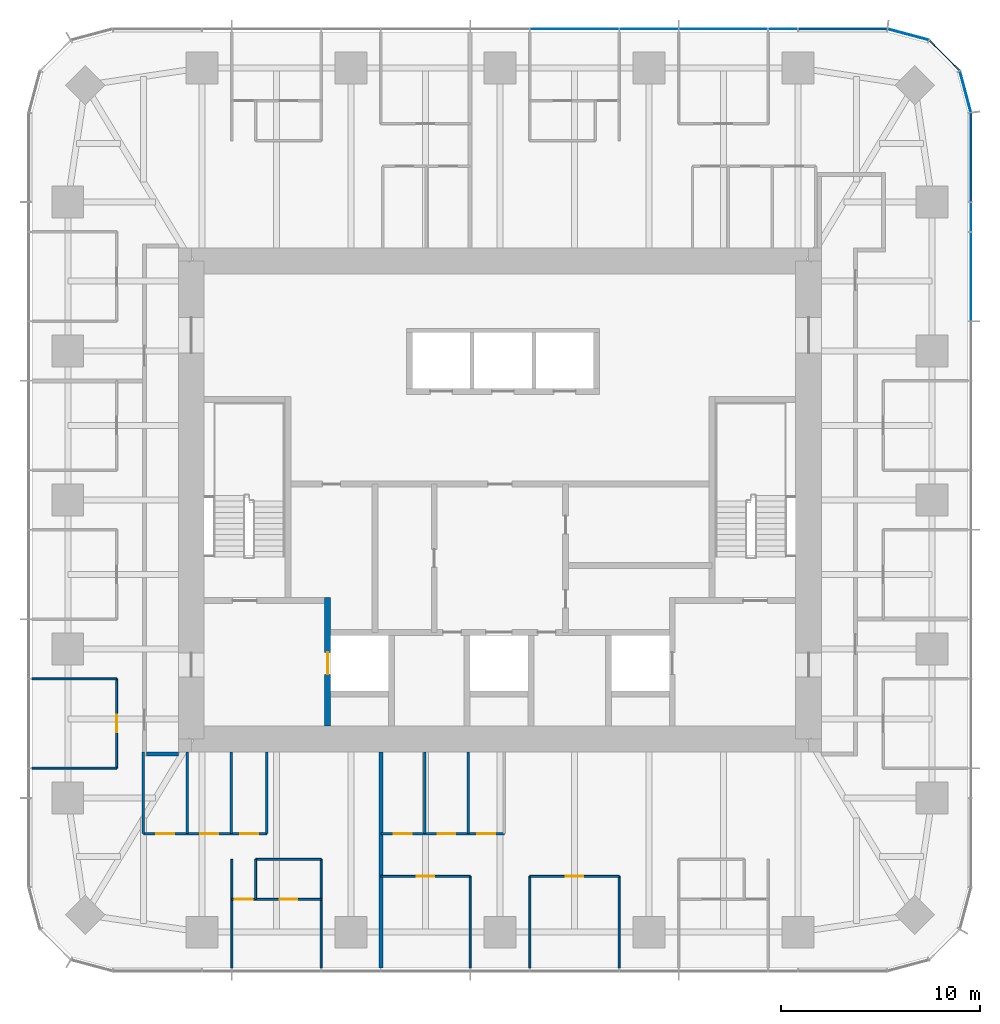
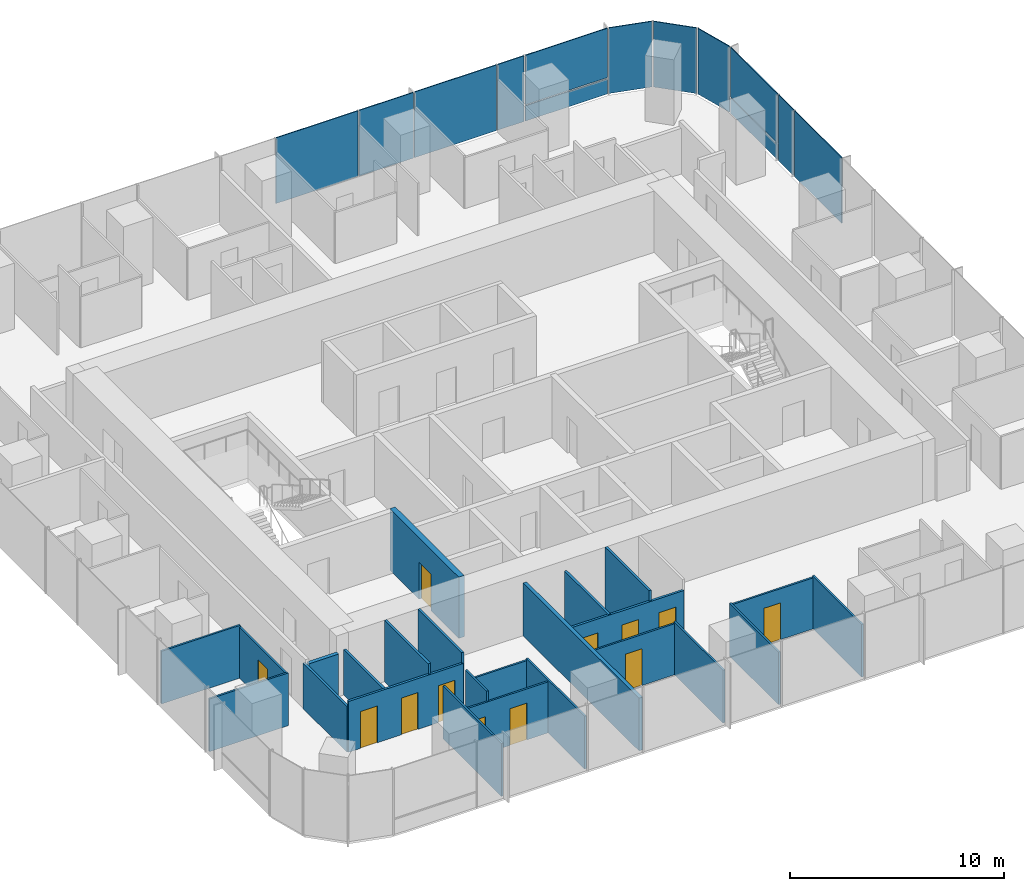
# One storey, part 8 of 12: 24 walls, 13 plates, 12 doors, 12 openings, 3 elements without a shape of their own.
"""IFC4 building model written with IfcOpenShell, lengths in metres."""

from ifc_helpers import new_model, si_unit, direction, frame, frame_2d, origin, origin_2d, place, context, subcontext, project, spatial, rectangle, extrude, material, layer, layer_set, type_object, element, fill, aggregate, save


model = new_model("IFC4")

# Units and contexts
model_context = context("Model", 3, precision=1e-05, world=origin(), true_north=direction((0.0, 1.0)))
body_context = subcontext(model_context, "Body", "Model", "MODEL_VIEW")
ifc_project = project(units=[si_unit("LENGTHUNIT", "METRE"), si_unit("AREAUNIT", "SQUARE_METRE"), si_unit("VOLUMEUNIT", "CUBIC_METRE"), si_unit("PLANEANGLEUNIT", "RADIAN"), si_unit("MASSUNIT", "GRAM", prefix="KILO")], contexts=[model_context])

# Site, building, storey
site_placement = place(None, origin())
site = spatial("IfcSite", under=ifc_project, at=site_placement, CompositionType="ELEMENT")
building_placement = place(site_placement, origin())
building = spatial("IfcBuilding", under=site, at=building_placement, Name="Khuree Lantern Residences", CompositionType="ELEMENT")
storey_placement = place(building_placement, frame((0.0, 0.0, 304.5)))
storey = spatial("IfcBuildingStorey", under=building, at=storey_placement, Name="L76", CompositionType="ELEMENT", Elevation=304.5)

# Curtain wall, plates
ifc_material_1 = material(Name="Bronze anodised aluminium", Category="aluminium")
curtain_wall_type_1 = type_object("IfcCurtainWallType", Name="CW-T2 TOWER CORNER CURTAIN WALL", PredefinedType="USERDEFINED", material=ifc_material_1)
curtain_wall_1_placement = place(storey_placement, origin())
curtain_wall_1 = element("IfcCurtainWall", 1, at=curtain_wall_1_placement, inside=storey, type_object=curtain_wall_type_1, Name="L76 NORTH-EAST CORNER CURTAIN WALL", ObjectType="Faceted corner curtain wall", PredefinedType="USERDEFINED")
ifc_material_2 = material(Name="Bronze tinted triple glazing", Category="glass")
ifc_layer_1 = layer(ifc_material_2, 0.048095703125)
ifc_layer_set_1 = layer_set([ifc_layer_1], Name="FACET PANEL P4")
plate_type_1 = type_object("IfcPlateType", Name="FACET PANEL P4", PredefinedType="CURTAIN_PANEL", material=ifc_layer_set_1)
plate_1_placement = place(storey_placement, frame((23.369140625, 20.498046875, 0.0), z_axis=(0.0, 0.0, 1.0), x_axis=(-0.2588189146, 0.965925861257, 0.0)))
plate_1 = element("IfcPlate", 2, at=plate_1_placement, type_object=plate_type_1, Name="L76 NORTH-EAST CORNER PANEL 15.1", PredefinedType="CURTAIN_PANEL", context=body_context, shape_type="SweptSolid", body=[
    extrude(rectangle(XDim=2.09814453125, YDim=0.048095703125, at=origin_2d()), origin(), (0.0, 0.0, 1.0), 3.75),
])
plate_2_placement = place(storey_placement, frame((22.318603515625, 22.318603515625, 0.0), z_axis=(0.0, 0.0, 1.0), x_axis=(-0.707106781187, 0.707106781187, 0.0)))
plate_2 = element("IfcPlate", 3, at=plate_2_placement, type_object=plate_type_1, Name="L76 NORTH-EAST CORNER PANEL 16.1", PredefinedType="CURTAIN_PANEL", context=body_context, shape_type="SweptSolid", body=[
    extrude(rectangle(XDim=2.093994140625, YDim=0.048095703125, at=origin_2d()), origin(), (0.0, 0.0, 1.0), 3.75),
])
plate_3_placement = place(storey_placement, frame((20.498046875, 23.369140625, 0.0), z_axis=(0.0, 0.0, 1.0), x_axis=(-0.965925861257, 0.2588189146, 0.0)))
plate_3 = element("IfcPlate", 4, at=plate_3_placement, type_object=plate_type_1, Name="L76 NORTH-EAST CORNER PANEL 17.1", PredefinedType="CURTAIN_PANEL", context=body_context, shape_type="SweptSolid", body=[
    extrude(rectangle(XDim=2.09814453125, YDim=0.048095703125, at=origin_2d()), origin(), (0.0, 0.0, 1.0), 3.75),
])
aggregate(curtain_wall_1, [plate_1, plate_2, plate_3])

# Curtain wall, plate
curtain_wall_type_2 = type_object("IfcCurtainWallType", Name="CW-T1 TOWER FACE CURTAIN WALL", PredefinedType="USERDEFINED", material=ifc_material_1)
curtain_wall_2_placement = place(storey_placement, origin())
curtain_wall_2 = element("IfcCurtainWall", 5, at=curtain_wall_2_placement, inside=storey, type_object=curtain_wall_type_2, Name="L76 EAST FACE CURTAIN WALL", ObjectType="Stick-built curtain wall", PredefinedType="USERDEFINED")
ifc_material_3 = material(Name="Bronze tinted triple glazing with a ceramic-fritted spandrel band", Category="glass")
ifc_layer_2 = layer(ifc_material_3, 0.048095703125)
ifc_layer_set_2 = layer_set([ifc_layer_2], Name="FIXED LIGHT PANEL P11")
plate_type_2 = type_object("IfcPlateType", Name="FIXED LIGHT PANEL P11", PredefinedType="CURTAIN_PANEL", material=ifc_layer_set_2)
plate_4_placement = place(storey_placement, frame((23.64990234375, 11.219970703125, 0.0), z_axis=(0.0, 0.0, 1.0), x_axis=(0.0, 1.0, 0.0)))
plate_4 = element("IfcPlate", 6, at=plate_4_placement, type_object=plate_type_2, Name="L76 EAST FACE PANEL 12.1", PredefinedType="CURTAIN_PANEL", context=body_context, shape_type="SweptSolid", body=[
    extrude(rectangle(XDim=4.423095703125, YDim=0.048095703125, at=origin_2d()), origin(), (0.0, 0.0, 1.0), 3.75),
])

# Curtain wall, plates
curtain_wall_3_placement = place(storey_placement, origin())
curtain_wall_3 = element("IfcCurtainWall", 7, at=curtain_wall_3_placement, inside=storey, type_object=curtain_wall_type_2, Name="L76 NORTH FACE CURTAIN WALL", ObjectType="Stick-built curtain wall", PredefinedType="USERDEFINED")
plate_5_placement = place(storey_placement, frame((11.219970703125, 23.64990234375, 0.0), z_axis=(0.0, 0.0, 1.0), x_axis=(-1.0, 0.0, 0.0)))
plate_5 = element("IfcPlate", 8, at=plate_5_placement, type_object=plate_type_2, Name="L76 NORTH FACE PANEL 20.1", PredefinedType="CURTAIN_PANEL", context=body_context, shape_type="SweptSolid", body=[
    extrude(rectangle(XDim=4.423095703125, YDim=0.048095703125, at=origin_2d()), origin(), (0.0, 0.0, 1.0), 3.75),
])
plate_6_placement = place(storey_placement, frame((3.739990234375, 23.64990234375, 0.0), z_axis=(0.0, 0.0, 1.0), x_axis=(-1.0, 0.0, 0.0)))
plate_6 = element("IfcPlate", 9, at=plate_6_placement, type_object=plate_type_2, Name="L76 NORTH FACE PANEL 22.1", PredefinedType="CURTAIN_PANEL", context=body_context, shape_type="SweptSolid", body=[
    extrude(rectangle(XDim=4.423095703125, YDim=0.048095703125, at=origin_2d()), origin(), (0.0, 0.0, 1.0), 3.75),
])
ifc_material_4 = material(Name="Bronze tinted triple glazing, two aluminium-framed sashes in one frame", Category="aluminium")
ifc_layer_3 = layer(ifc_material_4, 0.048095703125)
ifc_layer_set_3 = layer_set([ifc_layer_3], Name="SASH PAIR PANEL P12")
plate_type_3 = type_object("IfcPlateType", Name="SASH PAIR PANEL P12", PredefinedType="CURTAIN_PANEL", material=ifc_layer_set_3)
plate_7_placement = place(storey_placement, frame((7.47998046875, 23.64990234375, 0.0), z_axis=(0.0, 0.0, 1.0), x_axis=(-1.0, 0.0, 0.0)))
plate_7 = element("IfcPlate", 10, at=plate_7_placement, type_object=plate_type_3, Name="L76 NORTH FACE PANEL 21.1", PredefinedType="CURTAIN_PANEL", context=body_context, shape_type="SweptSolid", body=[
    extrude(rectangle(XDim=2.927001953125, YDim=0.048095703125, at=origin_2d()), origin(), (0.0, 0.0, 1.0), 3.75),
])

# Plate
ifc_material_5 = material(Name="Bronze tinted triple glazing, aluminium-framed sash", Category="aluminium")
ifc_layer_4 = layer(ifc_material_5, 0.048095703125)
ifc_layer_set_4 = layer_set([ifc_layer_4], Name="SASH PANEL P3")
plate_type_4 = type_object("IfcPlateType", Name="SASH PANEL P3", PredefinedType="CURTAIN_PANEL", material=ifc_layer_set_4)
plate_8_placement = place(storey_placement, frame((23.64990234375, 14.2119140625, 0.0), z_axis=(0.0, 0.0, 1.0), x_axis=(0.0, 1.0, 0.0)))
plate_8 = element("IfcPlate", 11, at=plate_8_placement, type_object=plate_type_4, Name="L76 EAST FACE PANEL 13.1", PredefinedType="CURTAIN_PANEL", context=body_context, shape_type="SweptSolid", body=[
    extrude(rectangle(XDim=1.430908203125, YDim=0.048095703125, at=origin_2d()), origin(), (0.0, 0.0, 1.0), 3.75),
])

plate_9_placement = place(storey_placement, frame((14.2119140625, 23.64990234375, 0.0), z_axis=(0.0, 0.0, 1.0), x_axis=(-1.0, 0.0, 0.0)))
plate_9 = element("IfcPlate", 12, at=plate_9_placement, type_object=plate_type_4, Name="L76 NORTH FACE PANEL 19.1", PredefinedType="CURTAIN_PANEL", context=body_context, shape_type="SweptSolid", body=[
    extrude(rectangle(XDim=1.430908203125, YDim=0.048095703125, at=origin_2d()), origin(), (0.0, 0.0, 1.0), 3.75),
])

ifc_material_6 = material(Name="Bronze anodised aluminium insulated spandrel", Category="aluminium")
ifc_layer_5 = layer(ifc_material_6, 0.06005859375)
ifc_layer_set_5 = layer_set([ifc_layer_5], Name="SPANDREL PANEL P2")
plate_type_5 = type_object("IfcPlateType", Name="SPANDREL PANEL P2", PredefinedType="CURTAIN_PANEL", material=ifc_layer_set_5)
plate_10_placement = place(storey_placement, frame((23.64990234375, 17.202880859375, 0.0), z_axis=(0.0, 0.0, 1.0), x_axis=(0.0, 1.0, 0.0)))
plate_10 = element("IfcPlate", 13, at=plate_10_placement, type_object=plate_type_5, Name="L76 EAST FACE PANEL 14.1", PredefinedType="CURTAIN_PANEL", context=body_context, shape_type="SweptSolid", body=[
    extrude(rectangle(XDim=4.420654296875, YDim=0.06005859375, at=origin_2d()), origin(), (0.0, 0.0, 1.0), 0.867431640625),
])

plate_11_placement = place(storey_placement, frame((17.202880859375, 23.64990234375, 0.0), z_axis=(0.0, 0.0, 1.0), x_axis=(-1.0, 0.0, 0.0)))
plate_11 = element("IfcPlate", 14, at=plate_11_placement, type_object=plate_type_5, Name="L76 NORTH FACE PANEL 18.1", PredefinedType="CURTAIN_PANEL", context=body_context, shape_type="SweptSolid", body=[
    extrude(rectangle(XDim=4.420654296875, YDim=0.06005859375, at=origin_2d()), origin(), (0.0, 0.0, 1.0), 0.867431640625),
])

ifc_layer_6 = layer(ifc_material_2, 0.048095703125)
ifc_layer_set_6 = layer_set([ifc_layer_6], Name="VISION PANEL P1")
plate_type_6 = type_object("IfcPlateType", Name="VISION PANEL P1", PredefinedType="CURTAIN_PANEL", material=ifc_layer_set_6)
plate_12_placement = place(storey_placement, frame((23.64990234375, 17.203369140625, 0.9326171875), z_axis=(0.0, 0.0, 1.0), x_axis=(0.0, 1.0, 0.0)))
plate_12 = element("IfcPlate", 15, at=plate_12_placement, type_object=plate_type_6, Name="L76 EAST FACE PANEL 14.2", PredefinedType="CURTAIN_PANEL", context=body_context, shape_type="SweptSolid", body=[
    extrude(rectangle(XDim=4.421630859375, YDim=0.048095703125, at=origin_2d()), origin(), (0.0, 0.0, 1.0), 2.8173828125),
])

aggregate(curtain_wall_2, [plate_4, plate_8, plate_10, plate_12])

plate_13_placement = place(storey_placement, frame((17.203369140625, 23.64990234375, 0.9326171875), z_axis=(0.0, 0.0, 1.0), x_axis=(-1.0, 0.0, 0.0)))
plate_13 = element("IfcPlate", 16, at=plate_13_placement, type_object=plate_type_6, Name="L76 NORTH FACE PANEL 18.2", PredefinedType="CURTAIN_PANEL", context=body_context, shape_type="SweptSolid", body=[
    extrude(rectangle(XDim=4.421630859375, YDim=0.048095703125, at=origin_2d()), origin(), (0.0, 0.0, 1.0), 2.8173828125),
])

aggregate(curtain_wall_3, [plate_11, plate_13, plate_9, plate_5, plate_7, plate_6])

# Wall, openings, doors
ifc_material_7 = material(Name="Moisture-resistant gypsum board on steel studs", Category="steel")
ifc_layer_7 = layer(ifc_material_7, 0.125)
ifc_layer_set_7 = layer_set([ifc_layer_7], Name="BATHROOM WALL BTW125")
wall_type_1 = type_object("IfcWallType", Name="BATHROOM WALL BTW125", PredefinedType="PARTITIONING", material=ifc_layer_set_7)
wall_1_placement = place(storey_placement, frame((-17.89990234375, -16.746337890625, 0.0), z_axis=(0.0, 0.0, 1.0), x_axis=(1.0, 0.0, 0.0)))
wall_1 = element("IfcWall", 17, at=wall_1_placement, inside=storey, type_object=wall_type_1, Name="L76 BATHROOM WALL 03", PredefinedType="PARTITIONING", context=body_context, shape_type="SweptSolid", body=[
    extrude(rectangle(XDim=6.199951171875, YDim=0.125, at=frame_2d((3.10009765625, 0.0))), origin(), (0.0, 0.0, 1.0), 2.89990234375),
])
opening_1_placement = place(wall_1_placement, frame((0.64990234375, 0.0, 0.0)))
opening_1 = element("IfcOpeningElement", 18, at=opening_1_placement, cuts=wall_1, Name="Opening 76-041", PredefinedType="OPENING", context=body_context, shape_type="SweptSolid", body=[
    extrude(rectangle(XDim=0.89990234375, YDim=2.10009765625, at=frame_2d((0.449951171875, 1.050048828125))), frame((0.0, 0.072509765625, 0.0), z_axis=(0.0, -1.0, 0.0), x_axis=(1.0, 0.0, 0.0)), (0.0, 0.0, 1.0), 0.14501953125),
])
opening_2_placement = place(wall_1_placement, frame((2.85009765625, 0.0, 0.0)))
opening_2 = element("IfcOpeningElement", 19, at=opening_2_placement, cuts=wall_1, Name="Opening 76-042", PredefinedType="OPENING", context=body_context, shape_type="SweptSolid", body=[
    extrude(rectangle(XDim=0.89990234375, YDim=2.10009765625, at=frame_2d((0.449951171875, 1.050048828125))), frame((0.0, 0.072509765625, 0.0), z_axis=(0.0, -1.0, 0.0), x_axis=(1.0, 0.0, 0.0)), (0.0, 0.0, 1.0), 0.14501953125),
])
opening_3_placement = place(wall_1_placement, frame((4.85009765625, 0.0, 0.0)))
opening_3 = element("IfcOpeningElement", 20, at=opening_3_placement, cuts=wall_1, Name="Opening 76-043", PredefinedType="OPENING", context=body_context, shape_type="SweptSolid", body=[
    extrude(rectangle(XDim=0.89990234375, YDim=2.10009765625, at=frame_2d((0.449951171875, 1.050048828125))), frame((0.0, 0.072509765625, 0.0), z_axis=(0.0, -1.0, 0.0), x_axis=(1.0, 0.0, 0.0)), (0.0, 0.0, 1.0), 0.14501953125),
])
ifc_material_8 = material(Name="Timber door leaf in hardwood frame", Category="wood")
door_type_1 = type_object("IfcDoorType", Name="BATHROOM DOOR 900X2100", OperationType="SINGLE_SWING_LEFT", PredefinedType="DOOR", material=ifc_material_8)
door_1_placement = place(opening_1_placement, origin())
door_1 = element("IfcDoor", 21, at=door_1_placement, inside=storey, type_object=door_type_1, Name="Bathroom door 76-041", OperationType="SINGLE_SWING_LEFT", OverallHeight=2.10009765625, OverallWidth=0.89990234375, PredefinedType="DOOR", context=body_context, shape_type="SweptSolid", body=[
    extrude(rectangle(XDim=0.89990234375, YDim=2.10009765625, at=frame_2d((0.449951171875, 1.050048828125))), frame((0.0, 0.02490234375, 0.0), z_axis=(0.0, -1.0, 0.0), x_axis=(1.0, 0.0, 0.0)), (0.0, 0.0, 1.0), 0.050048828125),
])
fill(opening_1, door_1)
door_2_placement = place(opening_2_placement, origin())
door_2 = element("IfcDoor", 22, at=door_2_placement, inside=storey, type_object=door_type_1, Name="Bathroom door 76-042", OperationType="SINGLE_SWING_LEFT", OverallHeight=2.10009765625, OverallWidth=0.89990234375, PredefinedType="DOOR", context=body_context, shape_type="SweptSolid", body=[
    extrude(rectangle(XDim=0.89990234375, YDim=2.10009765625, at=frame_2d((0.449951171875, 1.050048828125))), frame((0.0, 0.02490234375, 0.0), z_axis=(0.0, -1.0, 0.0), x_axis=(1.0, 0.0, 0.0)), (0.0, 0.0, 1.0), 0.050048828125),
])
fill(opening_2, door_2)
door_type_2 = type_object("IfcDoorType", Name="DOOR 900X2100", OperationType="SINGLE_SWING_LEFT", PredefinedType="DOOR", material=ifc_material_8)
door_3_placement = place(opening_3_placement, origin())
door_3 = element("IfcDoor", 23, at=door_3_placement, inside=storey, type_object=door_type_2, Name="Store door 76-043", OperationType="SINGLE_SWING_LEFT", OverallHeight=2.10009765625, OverallWidth=0.89990234375, PredefinedType="DOOR", context=body_context, shape_type="SweptSolid", body=[
    extrude(rectangle(XDim=0.89990234375, YDim=2.10009765625, at=frame_2d((0.449951171875, 1.050048828125))), frame((0.0, 0.02490234375, 0.0), z_axis=(0.0, -1.0, 0.0), x_axis=(1.0, 0.0, 0.0)), (0.0, 0.0, 1.0), 0.050048828125),
])
fill(opening_3, door_3)

# Walls
for number, where, z_axis, x_axis, name in (
    (24, (-17.89990234375, -12.64990234375, 0.0), (0.0, 0.0, 1.0), (0.0, -1.0, 0.0), "L76 BATHROOM WALL 03"),
    (25, (-15.699951171875, -12.64990234375, 0.0), (0.0, 0.0, 1.0), (0.0, -1.0, 0.0), "L76 BATHROOM WALL 03"),
):
    element("IfcWall", number, at=place(storey_placement, frame(where, z_axis=z_axis, x_axis=x_axis)), inside=storey, type_object=wall_type_1, Name=name, PredefinedType="PARTITIONING", context=body_context, shape_type="SweptSolid", body=[
        extrude(rectangle(XDim=4.096435546875, YDim=0.125, at=frame_2d((2.04833984375, 0.0))), origin(), (0.0, 0.0, 1.0), 2.60009765625),
    ])
for number, where, z_axis, x_axis, name in (
    (26, (-13.5, -12.64990234375, 0.0), (0.0, 0.0, 1.0), (0.0, -1.0, 0.0), "L76 BATHROOM WALL 03"),
    (27, (-11.699951171875, -12.64990234375, 0.0), (0.0, 0.0, 1.0), (0.0, -1.0, 0.0), "L76 BATHROOM WALL 03"),
):
    element("IfcWall", number, at=place(storey_placement, frame(where, z_axis=z_axis, x_axis=x_axis)), inside=storey, type_object=wall_type_1, Name=name, PredefinedType="PARTITIONING", context=body_context, shape_type="SweptSolid", body=[
        extrude(rectangle(XDim=4.096435546875, YDim=0.125, at=frame_2d((2.04833984375, 0.0))), origin(), (0.0, 0.0, 1.0), 3.5),
    ])

# Wall, openings, doors
wall_2_placement = place(storey_placement, frame((-5.98388671875, -16.746337890625, 0.0), z_axis=(0.0, 0.0, 1.0), x_axis=(1.0, 0.0, 0.0)))
wall_2 = element("IfcWall", 28, at=wall_2_placement, inside=storey, type_object=wall_type_1, Name="L76 BATHROOM WALL 04", PredefinedType="PARTITIONING", context=body_context, shape_type="SweptSolid", body=[
    extrude(rectangle(XDim=6.199951171875, YDim=0.125, at=frame_2d((3.10009765625, 0.0))), origin(), (0.0, 0.0, 1.0), 2.89990234375),
])
opening_4_placement = place(wall_2_placement, frame((0.64990234375, 0.0, 0.0)))
opening_4 = element("IfcOpeningElement", 29, at=opening_4_placement, cuts=wall_2, Name="Opening 76-050", PredefinedType="OPENING", context=body_context, shape_type="SweptSolid", body=[
    extrude(rectangle(XDim=0.89990234375, YDim=2.10009765625, at=frame_2d((0.449951171875, 1.050048828125))), frame((0.0, 0.072509765625, 0.0), z_axis=(0.0, -1.0, 0.0), x_axis=(1.0, 0.0, 0.0)), (0.0, 0.0, 1.0), 0.14501953125),
])
opening_5_placement = place(wall_2_placement, frame((2.85009765625, 0.0, 0.0)))
opening_5 = element("IfcOpeningElement", 30, at=opening_5_placement, cuts=wall_2, Name="Opening 76-051", PredefinedType="OPENING", context=body_context, shape_type="SweptSolid", body=[
    extrude(rectangle(XDim=0.89990234375, YDim=2.10009765625, at=frame_2d((0.449951171875, 1.050048828125))), frame((0.0, 0.072509765625, 0.0), z_axis=(0.0, -1.0, 0.0), x_axis=(1.0, 0.0, 0.0)), (0.0, 0.0, 1.0), 0.14501953125),
])
opening_6_placement = place(wall_2_placement, frame((4.85009765625, 0.0, 0.0)))
opening_6 = element("IfcOpeningElement", 31, at=opening_6_placement, cuts=wall_2, Name="Opening 76-052", PredefinedType="OPENING", context=body_context, shape_type="SweptSolid", body=[
    extrude(rectangle(XDim=0.89990234375, YDim=2.10009765625, at=frame_2d((0.449951171875, 1.050048828125))), frame((0.0, 0.072509765625, 0.0), z_axis=(0.0, -1.0, 0.0), x_axis=(1.0, 0.0, 0.0)), (0.0, 0.0, 1.0), 0.14501953125),
])
door_4_placement = place(opening_4_placement, origin())
door_4 = element("IfcDoor", 32, at=door_4_placement, inside=storey, type_object=door_type_1, Name="Bathroom door 76-050", OperationType="SINGLE_SWING_LEFT", OverallHeight=2.10009765625, OverallWidth=0.89990234375, PredefinedType="DOOR", context=body_context, shape_type="SweptSolid", body=[
    extrude(rectangle(XDim=0.89990234375, YDim=2.10009765625, at=frame_2d((0.449951171875, 1.050048828125))), frame((0.0, 0.02490234375, 0.0), z_axis=(0.0, -1.0, 0.0), x_axis=(1.0, 0.0, 0.0)), (0.0, 0.0, 1.0), 0.050048828125),
])
fill(opening_4, door_4)
door_5_placement = place(opening_5_placement, origin())
door_5 = element("IfcDoor", 33, at=door_5_placement, inside=storey, type_object=door_type_1, Name="Bathroom door 76-051", OperationType="SINGLE_SWING_LEFT", OverallHeight=2.10009765625, OverallWidth=0.89990234375, PredefinedType="DOOR", context=body_context, shape_type="SweptSolid", body=[
    extrude(rectangle(XDim=0.89990234375, YDim=2.10009765625, at=frame_2d((0.449951171875, 1.050048828125))), frame((0.0, 0.02490234375, 0.0), z_axis=(0.0, -1.0, 0.0), x_axis=(1.0, 0.0, 0.0)), (0.0, 0.0, 1.0), 0.050048828125),
])
fill(opening_5, door_5)
door_6_placement = place(opening_6_placement, origin())
door_6 = element("IfcDoor", 34, at=door_6_placement, inside=storey, type_object=door_type_2, Name="Store door 76-052", OperationType="SINGLE_SWING_LEFT", OverallHeight=2.10009765625, OverallWidth=0.89990234375, PredefinedType="DOOR", context=body_context, shape_type="SweptSolid", body=[
    extrude(rectangle(XDim=0.89990234375, YDim=2.10009765625, at=frame_2d((0.449951171875, 1.050048828125))), frame((0.0, 0.02490234375, 0.0), z_axis=(0.0, -1.0, 0.0), x_axis=(1.0, 0.0, 0.0)), (0.0, 0.0, 1.0), 0.050048828125),
])
fill(opening_6, door_6)

# Walls
wall_3_placement = place(storey_placement, frame((-3.783935546875, -12.64990234375, 0.0), z_axis=(0.0, 0.0, 1.0), x_axis=(0.0, -1.0, 0.0)))
element("IfcWall", 35, at=wall_3_placement, inside=storey, type_object=wall_type_1, Name="L76 BATHROOM WALL 04", PredefinedType="PARTITIONING", context=body_context, shape_type="SweptSolid", body=[
    extrude(rectangle(XDim=4.096435546875, YDim=0.125, at=frame_2d((2.04833984375, 0.0))), origin(), (0.0, 0.0, 1.0), 2.909912109375),
])
wall_4_placement = place(storey_placement, frame((-1.583984375, -12.64990234375, 0.0), z_axis=(0.0, 0.0, 1.0), x_axis=(0.0, -1.0, 0.0)))
element("IfcWall", 36, at=wall_4_placement, inside=storey, type_object=wall_type_1, Name="L76 BATHROOM WALL 04", PredefinedType="PARTITIONING", context=body_context, shape_type="SweptSolid", body=[
    extrude(rectangle(XDim=4.096435546875, YDim=0.125, at=frame_2d((2.04833984375, 0.0))), origin(), (0.0, 0.0, 1.0), 3.5),
])

# Wall, opening, door
ifc_material_9 = material(Name="Dense concrete blockwork", Category="masonry")
ifc_layer_8 = layer(ifc_material_9, 0.300048828125)
ifc_layer_set_8 = layer_set([ifc_layer_8], Name="CORE PARTITION WALL CPW300 EI 120")
wall_type_2 = type_object("IfcWallType", Name="CORE PARTITION WALL CPW300 EI 120", PredefinedType="PARTITIONING", material=ifc_layer_set_8)
wall_5_placement = place(storey_placement, frame((-8.64990234375, -11.35009765625, 0.0), z_axis=(0.0, 0.0, 1.0), x_axis=(0.0, 1.0, 0.0)))
wall_5 = element("IfcWall", 37, at=wall_5_placement, inside=storey, type_object=wall_type_2, Name="L76 CORE WALL FL1W", PredefinedType="PARTITIONING", context=body_context, shape_type="SweptSolid", body=[
    extrude(rectangle(XDim=6.4501953125, YDim=0.300048828125, at=frame_2d((3.22509765625, 0.0))), origin(), (0.0, 0.0, 1.0), 3.5),
])
opening_7_placement = place(wall_5_placement, frame((2.60009765625, 0.0, 0.0)))
opening_7 = element("IfcOpeningElement", 38, at=opening_7_placement, cuts=wall_5, Name="Opening 76-007", PredefinedType="OPENING", context=body_context, shape_type="SweptSolid", body=[
    extrude(rectangle(XDim=1.10009765625, YDim=2.10009765625, at=frame_2d((0.550048828125, 1.050048828125))), frame((0.0, 0.16015625, 0.0), z_axis=(0.0, -1.0, 0.0), x_axis=(1.0, 0.0, 0.0)), (0.0, 0.0, 1.0), 0.320068359375),
])
ifc_material_10 = material(Name="Stainless steel lift landing door", Category="steel")
door_type_3 = type_object("IfcDoorType", Name="LIFT LANDING DOOR 1100X2100 E 120", OperationType="DOUBLE_DOOR_SLIDING", PredefinedType="DOOR", material=ifc_material_10)
door_7_placement = place(opening_7_placement, origin())
door_7 = element("IfcDoor", 39, at=door_7_placement, inside=storey, type_object=door_type_3, Name="Landing door FL1 76-007", OperationType="DOUBLE_DOOR_SLIDING", OverallHeight=2.10009765625, OverallWidth=1.10009765625, PredefinedType="DOOR", context=body_context, shape_type="SweptSolid", body=[
    extrude(rectangle(XDim=1.10009765625, YDim=2.10009765625, at=frame_2d((0.550048828125, 1.050048828125))), frame((0.0, 0.02490234375, 0.0), z_axis=(0.0, -1.0, 0.0), x_axis=(1.0, 0.0, 0.0)), (0.0, 0.0, 1.0), 0.050048828125),
])
fill(opening_7, door_7)

# Walls
ifc_material_11 = material(Name="Gypsum board on steel studs", Category="steel")
ifc_layer_9 = layer(ifc_material_11, 0.199951171875)
ifc_layer_set_9 = layer_set([ifc_layer_9], Name="CORRIDOR WALL CRW200 EI 60")
wall_type_3 = type_object("IfcWallType", Name="CORRIDOR WALL CRW200 EI 60", PredefinedType="PARTITIONING", material=ifc_layer_set_9)
wall_6_placement = place(storey_placement, frame((-16.14990234375, -12.75, 0.0), z_axis=(0.0, 0.0, 1.0), x_axis=(-1.0, 0.0, 0.0)))
element("IfcWall", 40, at=wall_6_placement, inside=storey, type_object=wall_type_3, Name="L76 WEST CORRIDOR SOUTH END WALL", PredefinedType="PARTITIONING", context=body_context, shape_type="SweptSolid", body=[
    extrude(rectangle(XDim=1.60009765625, YDim=0.199951171875, at=frame_2d((0.800048828125, 0.0))), origin(), (0.0, 0.0, 1.0), 2.60009765625),
])
ifc_layer_10 = layer(ifc_material_11, 0.199951171875)
ifc_layer_set_10 = layer_set([ifc_layer_10], Name="DEMISING WALL DMW200 EI 90")
wall_type_4 = type_object("IfcWallType", Name="DEMISING WALL DMW200 EI 90", PredefinedType="PARTITIONING", material=ifc_layer_set_10)
wall_7_placement = place(storey_placement, frame((-5.98388671875, -12.64990234375, 0.0), z_axis=(0.0, 0.0, 1.0), x_axis=(0.0, -1.0, 0.0)))
element("IfcWall", 41, at=wall_7_placement, inside=storey, type_object=wall_type_4, Name="L76 DEMISING WALL 04", PredefinedType="PARTITIONING", context=body_context, shape_type="SweptSolid", body=[
    extrude(rectangle(XDim=10.85009765625, YDim=0.199951171875, at=frame_2d((5.425048828125, 0.0))), origin(), (0.0, 0.0, 1.0), 3.010009765625),
])
ifc_layer_11 = layer(ifc_material_11, 0.10009765625)
ifc_layer_set_11 = layer_set([ifc_layer_11], Name="PARTITION PT100")
wall_type_5 = type_object("IfcWallType", Name="PARTITION PT100", PredefinedType="PARTITIONING", material=ifc_layer_set_11)
for number, where, z_axis, x_axis, name in (
    (42, (-19.25, -8.97607421875, 0.0), (0.0, 0.0, 1.0), (-1.0, 0.0, 0.0), "L76 PARTITION 03"),
    (43, (-19.25, -13.464111328125, 0.0), (0.0, 0.0, 1.0), (-1.0, 0.0, 0.0), "L76 PARTITION 03"),
):
    element("IfcWall", number, at=place(storey_placement, frame(where, z_axis=z_axis, x_axis=x_axis)), inside=storey, type_object=wall_type_5, Name=name, PredefinedType="PARTITIONING", context=body_context, shape_type="SweptSolid", body=[
        extrude(rectangle(XDim=4.25, YDim=0.10009765625, at=frame_2d((2.125, 0.0))), origin(), (0.0, 0.0, 1.0), 3.010009765625),
    ])
for number, where, z_axis, x_axis, name in (
    (44, (-13.464111328125, -18.04638671875, 0.0), (0.0, 0.0, 1.0), (0.0, -1.0, 0.0), "L76 PARTITION 03"),
    (45, (-8.97607421875, -18.04638671875, 0.0), (0.0, 0.0, 1.0), (0.0, -1.0, 0.0), "L76 PARTITION 03"),
):
    element("IfcWall", number, at=place(storey_placement, frame(where, z_axis=z_axis, x_axis=x_axis)), inside=storey, type_object=wall_type_5, Name=name, PredefinedType="PARTITIONING", context=body_context, shape_type="SweptSolid", body=[
        extrude(rectangle(XDim=5.45361328125, YDim=0.10009765625, at=frame_2d((2.726806640625, 0.0))), origin(), (0.0, 0.0, 1.0), 3.010009765625),
    ])
for number, where, z_axis, x_axis, name in (
    (46, (-1.49609375, -18.89990234375, 0.0), (0.0, 0.0, 1.0), (0.0, -1.0, 0.0), "L76 PARTITION 04"),
    (47, (1.49609375, -18.89990234375, 0.0), (0.0, 0.0, 1.0), (0.0, -1.0, 0.0), "L76 PARTITION 04"),
    (48, (5.98388671875, -18.89990234375, 0.0), (0.0, 0.0, 1.0), (0.0, -1.0, 0.0), "L76 PARTITION 04"),
):
    element("IfcWall", number, at=place(storey_placement, frame(where, z_axis=z_axis, x_axis=x_axis)), inside=storey, type_object=wall_type_5, Name=name, PredefinedType="PARTITIONING", context=body_context, shape_type="SweptSolid", body=[
        extrude(rectangle(XDim=4.60009765625, YDim=0.10009765625, at=frame_2d((2.300048828125, 0.0))), origin(), (0.0, 0.0, 1.0), 3.010009765625),
    ])

# Wall, opening, door
wall_8_placement = place(storey_placement, frame((-19.25, -8.97607421875, 0.0), z_axis=(0.0, 0.0, 1.0), x_axis=(0.0, -1.0, 0.0)))
wall_8 = element("IfcWall", 49, at=wall_8_placement, inside=storey, type_object=wall_type_5, Name="L76 PARTITION 03", PredefinedType="PARTITIONING", context=body_context, shape_type="SweptSolid", body=[
    extrude(rectangle(XDim=4.488037109375, YDim=0.10009765625, at=frame_2d((2.244140625, 0.0))), origin(), (0.0, 0.0, 1.0), 2.909912109375),
])
opening_8_placement = place(wall_8_placement, frame((1.7939453125, 0.0, 0.0)))
opening_8 = element("IfcOpeningElement", 50, at=opening_8_placement, cuts=wall_8, Name="Opening 76-038", PredefinedType="OPENING", context=body_context, shape_type="SweptSolid", body=[
    extrude(rectangle(XDim=0.89990234375, YDim=2.10009765625, at=frame_2d((0.449951171875, 1.050048828125))), frame((0.0, 0.06005859375, 0.0), z_axis=(0.0, -1.0, 0.0), x_axis=(1.0, 0.0, 0.0)), (0.0, 0.0, 1.0), 0.1201171875),
])
door_type_4 = type_object("IfcDoorType", Name="BEDROOM DOOR 900X2100", OperationType="SINGLE_SWING_LEFT", PredefinedType="DOOR", material=ifc_material_8)
door_8_placement = place(opening_8_placement, origin())
door_8 = element("IfcDoor", 51, at=door_8_placement, inside=storey, type_object=door_type_4, Name="Bedroom door 76-038", OperationType="SINGLE_SWING_LEFT", OverallHeight=2.10009765625, OverallWidth=0.89990234375, PredefinedType="DOOR", context=body_context, shape_type="SweptSolid", body=[
    extrude(rectangle(XDim=0.89990234375, YDim=2.10009765625, at=frame_2d((0.449951171875, 1.050048828125))), frame((0.0, 0.02490234375, 0.0), z_axis=(0.0, -1.0, 0.0), x_axis=(1.0, 0.0, 0.0)), (0.0, 0.0, 1.0), 0.050048828125),
])
fill(opening_8, door_8)

# Wall, openings, doors
wall_9_placement = place(storey_placement, frame((-13.464111328125, -20.04638671875, 0.0), z_axis=(0.0, 0.0, 1.0), x_axis=(1.0, 0.0, 0.0)))
wall_9 = element("IfcWall", 52, at=wall_9_placement, inside=storey, type_object=wall_type_5, Name="L76 PARTITION 03", PredefinedType="PARTITIONING", context=body_context, shape_type="SweptSolid", body=[
    extrude(rectangle(XDim=4.488037109375, YDim=0.10009765625, at=frame_2d((2.244140625, 0.0))), origin(), (0.0, 0.0, 1.0), 2.909912109375),
])
opening_9_placement = place(wall_9_placement, frame((0.14990234375, 0.0, 0.0)))
opening_9 = element("IfcOpeningElement", 53, at=opening_9_placement, cuts=wall_9, Name="Opening 76-039", PredefinedType="OPENING", context=body_context, shape_type="SweptSolid", body=[
    extrude(rectangle(XDim=0.89990234375, YDim=2.10009765625, at=frame_2d((0.449951171875, 1.050048828125))), frame((0.0, 0.06005859375, 0.0), z_axis=(0.0, -1.0, 0.0), x_axis=(1.0, 0.0, 0.0)), (0.0, 0.0, 1.0), 0.1201171875),
])
opening_10_placement = place(wall_9_placement, frame((2.39404296875, 0.0, 0.0)))
opening_10 = element("IfcOpeningElement", 54, at=opening_10_placement, cuts=wall_9, Name="Opening 76-040", PredefinedType="OPENING", context=body_context, shape_type="SweptSolid", body=[
    extrude(rectangle(XDim=0.89990234375, YDim=2.10009765625, at=frame_2d((0.449951171875, 1.050048828125))), frame((0.0, 0.06005859375, 0.0), z_axis=(0.0, -1.0, 0.0), x_axis=(1.0, 0.0, 0.0)), (0.0, 0.0, 1.0), 0.1201171875),
])
door_9_placement = place(opening_9_placement, origin())
door_9 = element("IfcDoor", 55, at=door_9_placement, inside=storey, type_object=door_type_4, Name="Bedroom door 76-039", OperationType="SINGLE_SWING_LEFT", OverallHeight=2.10009765625, OverallWidth=0.89990234375, PredefinedType="DOOR", context=body_context, shape_type="SweptSolid", body=[
    extrude(rectangle(XDim=0.89990234375, YDim=2.10009765625, at=frame_2d((0.449951171875, 1.050048828125))), frame((0.0, 0.02490234375, 0.0), z_axis=(0.0, -1.0, 0.0), x_axis=(1.0, 0.0, 0.0)), (0.0, 0.0, 1.0), 0.050048828125),
])
fill(opening_9, door_9)
door_10_placement = place(opening_10_placement, origin())
door_10 = element("IfcDoor", 56, at=door_10_placement, inside=storey, type_object=door_type_2, Name="Wardrobe door 76-040", OperationType="SINGLE_SWING_LEFT", OverallHeight=2.10009765625, OverallWidth=0.89990234375, PredefinedType="DOOR", context=body_context, shape_type="SweptSolid", body=[
    extrude(rectangle(XDim=0.89990234375, YDim=2.10009765625, at=frame_2d((0.449951171875, 1.050048828125))), frame((0.0, 0.02490234375, 0.0), z_axis=(0.0, -1.0, 0.0), x_axis=(1.0, 0.0, 0.0)), (0.0, 0.0, 1.0), 0.050048828125),
])
fill(opening_10, door_10)

# Walls
wall_10_placement = place(storey_placement, frame((-12.263916015625, -18.04638671875, 0.0), z_axis=(0.0, 0.0, 1.0), x_axis=(0.0, -1.0, 0.0)))
element("IfcWall", 57, at=wall_10_placement, inside=storey, type_object=wall_type_5, Name="L76 PARTITION 03", PredefinedType="PARTITIONING", context=body_context, shape_type="SweptSolid", body=[
    extrude(rectangle(XDim=2.0, YDim=0.10009765625, at=frame_2d((1.0, 0.0))), origin(), (0.0, 0.0, 1.0), 3.5),
])
wall_11_placement = place(storey_placement, frame((-12.263916015625, -18.04638671875, 0.0), z_axis=(0.0, 0.0, 1.0), x_axis=(1.0, 0.0, 0.0)))
element("IfcWall", 58, at=wall_11_placement, inside=storey, type_object=wall_type_5, Name="L76 PARTITION 03", PredefinedType="PARTITIONING", context=body_context, shape_type="SweptSolid", body=[
    extrude(rectangle(XDim=3.287841796875, YDim=0.10009765625, at=frame_2d((1.64404296875, 0.0))), origin(), (0.0, 0.0, 1.0), 2.909912109375),
])

# Wall, opening, door
wall_12_placement = place(storey_placement, frame((-5.98388671875, -18.89990234375, 0.0), z_axis=(0.0, 0.0, 1.0), x_axis=(1.0, 0.0, 0.0)))
wall_12 = element("IfcWall", 59, at=wall_12_placement, inside=storey, type_object=wall_type_5, Name="L76 PARTITION 04", PredefinedType="PARTITIONING", context=body_context, shape_type="SweptSolid", body=[
    extrude(rectangle(XDim=4.48779296875, YDim=0.10009765625, at=frame_2d((2.243896484375, 0.0))), origin(), (0.0, 0.0, 1.0), 2.909912109375),
])
opening_11_placement = place(wall_12_placement, frame((1.7939453125, 0.0, 0.0)))
opening_11 = element("IfcOpeningElement", 60, at=opening_11_placement, cuts=wall_12, Name="Opening 76-045", PredefinedType="OPENING", context=body_context, shape_type="SweptSolid", body=[
    extrude(rectangle(XDim=0.89990234375, YDim=2.10009765625, at=frame_2d((0.449951171875, 1.050048828125))), frame((0.0, 0.06005859375, 0.0), z_axis=(0.0, -1.0, 0.0), x_axis=(1.0, 0.0, 0.0)), (0.0, 0.0, 1.0), 0.1201171875),
])
door_11_placement = place(opening_11_placement, origin())
door_11 = element("IfcDoor", 61, at=door_11_placement, inside=storey, type_object=door_type_4, Name="Bedroom door 76-045", OperationType="SINGLE_SWING_LEFT", OverallHeight=2.10009765625, OverallWidth=0.89990234375, PredefinedType="DOOR", context=body_context, shape_type="SweptSolid", body=[
    extrude(rectangle(XDim=0.89990234375, YDim=2.10009765625, at=frame_2d((0.449951171875, 1.050048828125))), frame((0.0, 0.02490234375, 0.0), z_axis=(0.0, -1.0, 0.0), x_axis=(1.0, 0.0, 0.0)), (0.0, 0.0, 1.0), 0.050048828125),
])
fill(opening_11, door_11)

wall_13_placement = place(storey_placement, frame((1.49609375, -18.89990234375, 0.0), z_axis=(0.0, 0.0, 1.0), x_axis=(1.0, 0.0, 0.0)))
wall_13 = element("IfcWall", 62, at=wall_13_placement, inside=storey, type_object=wall_type_5, Name="L76 PARTITION 04", PredefinedType="PARTITIONING", context=body_context, shape_type="SweptSolid", body=[
    extrude(rectangle(XDim=4.48779296875, YDim=0.10009765625, at=frame_2d((2.243896484375, 0.0))), origin(), (0.0, 0.0, 1.0), 2.909912109375),
])
opening_12_placement = place(wall_13_placement, frame((1.7939453125, 0.0, 0.0)))
opening_12 = element("IfcOpeningElement", 63, at=opening_12_placement, cuts=wall_13, Name="Opening 76-046", PredefinedType="OPENING", context=body_context, shape_type="SweptSolid", body=[
    extrude(rectangle(XDim=0.89990234375, YDim=2.10009765625, at=frame_2d((0.449951171875, 1.050048828125))), frame((0.0, 0.06005859375, 0.0), z_axis=(0.0, -1.0, 0.0), x_axis=(1.0, 0.0, 0.0)), (0.0, 0.0, 1.0), 0.1201171875),
])
door_12_placement = place(opening_12_placement, origin())
door_12 = element("IfcDoor", 64, at=door_12_placement, inside=storey, type_object=door_type_4, Name="Bedroom door 76-046", OperationType="SINGLE_SWING_LEFT", OverallHeight=2.10009765625, OverallWidth=0.89990234375, PredefinedType="DOOR", context=body_context, shape_type="SweptSolid", body=[
    extrude(rectangle(XDim=0.89990234375, YDim=2.10009765625, at=frame_2d((0.449951171875, 1.050048828125))), frame((0.0, 0.02490234375, 0.0), z_axis=(0.0, -1.0, 0.0), x_axis=(1.0, 0.0, 0.0)), (0.0, 0.0, 1.0), 0.050048828125),
])
fill(opening_12, door_12)

save(model, "model.ifc")
